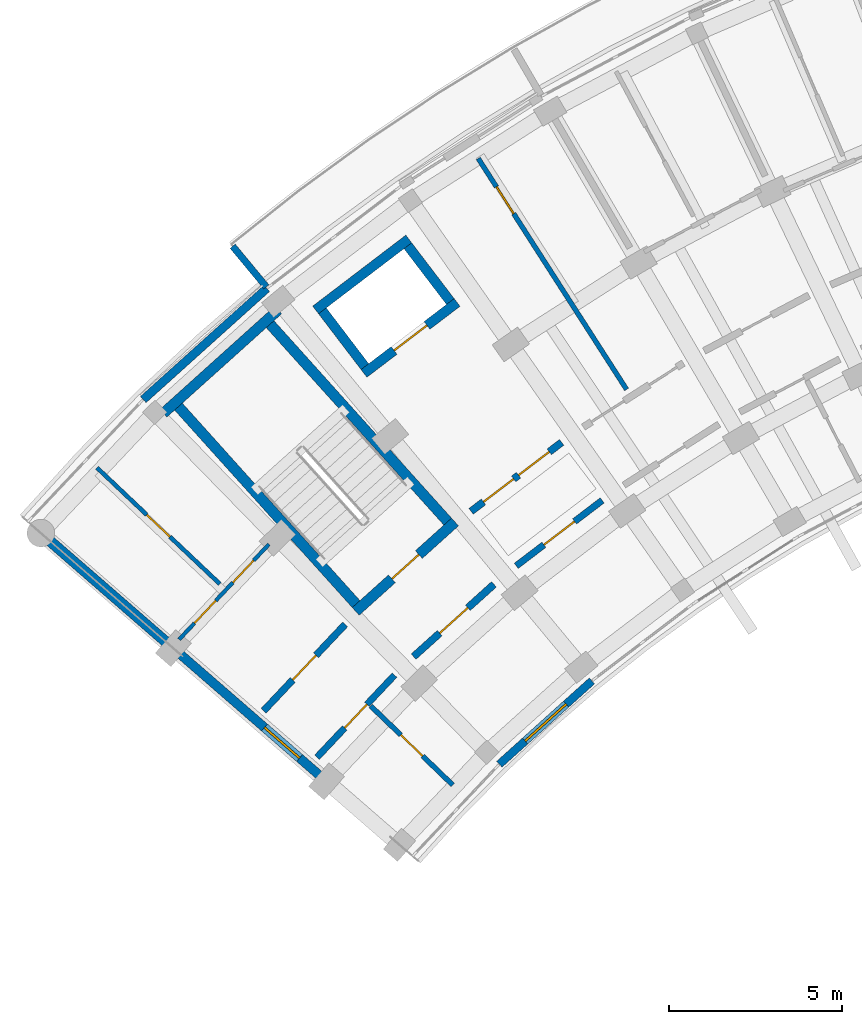
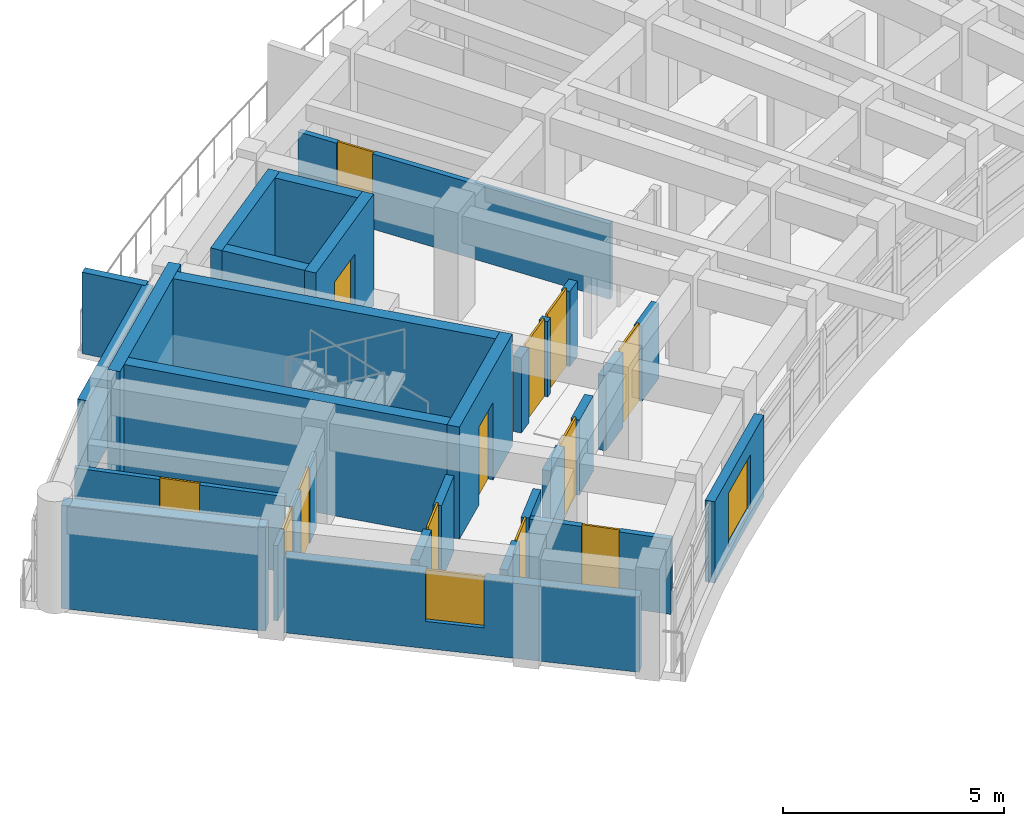
# One storey, part 44 of 70: 22 walls, 13 doors, 2 windows, 15 openings.
"""IFC4 building model written with IfcOpenShell, lengths in metres."""

from ifc_helpers import new_model, si_unit, direction, frame, frame_2d, origin, place, context, subcontext, project, spatial, rectangle, extrude, material, layer, layer_set, type_object, element, fill, save


model = new_model("IFC4")

# Units and contexts
model_context = context("Model", 3, precision=1e-05, world=origin(), true_north=direction((0.0, 1.0)))
body_context = subcontext(model_context, "Body", "Model", "MODEL_VIEW")
ifc_project = project(units=[si_unit("LENGTHUNIT", "METRE"), si_unit("AREAUNIT", "SQUARE_METRE"), si_unit("VOLUMEUNIT", "CUBIC_METRE"), si_unit("PLANEANGLEUNIT", "RADIAN"), si_unit("MASSUNIT", "GRAM", prefix="KILO")], contexts=[model_context])

# Site, building, storey
site_placement = place(None, origin())
site = spatial("IfcSite", under=ifc_project, at=site_placement, CompositionType="ELEMENT")
building_placement = place(site_placement, origin())
building = spatial("IfcBuilding", under=site, at=building_placement, Name="Zimvara Arc Housing Community", CompositionType="ELEMENT")
storey_placement = place(building_placement, frame((0.0, 0.0, 8.10009765625)))
storey = spatial("IfcBuildingStorey", under=building, at=storey_placement, Name="L02", CompositionType="ELEMENT", Elevation=8.10009765625)

# Wall, opening, window
ifc_material_1 = material(Name="Board-Marked Fair-Faced Concrete C35/45", Category="concrete")
ifc_layer_1 = layer(ifc_material_1, 0.22998046875)
ifc_layer_set_1 = layer_set([ifc_layer_1], Name="Board-Marked Fair-Faced Concrete C35/45")
wall_type_1 = type_object("IfcWallType", Name="EWL-CONC-230", PredefinedType="SOLIDWALL", material=ifc_layer_set_1)
wall_1_placement = place(storey_placement, frame((13.84033203125, 76.436767578125, 0.0), z_axis=(0.0, 0.0, 1.0), x_axis=(0.743385092197, 0.668863666751, 0.0)))
wall_1 = element("IfcWall", 1, at=wall_1_placement, inside=storey, type_object=wall_type_1, Name="ewall:blkA:L02:in:b1", PredefinedType="SOLIDWALL", context=body_context, shape_type="SweptSolid", body=[
    extrude(rectangle(XDim=3.603759765625, YDim=0.22998046875, at=frame_2d((1.8017578125, 0.0))), origin(), (0.0, 0.0, 1.0), 2.25),
])
opening_1_placement = place(wall_1_placement, frame((1.001708984375, 0.0, 0.320068359375)))
opening_1 = element("IfcOpeningElement", 2, at=opening_1_placement, cuts=wall_1, Name="Opening W03", PredefinedType="OPENING", context=body_context, shape_type="SweptSolid", body=[
    extrude(rectangle(XDim=1.60009765625, YDim=1.5, at=frame_2d((0.800048828125, 0.75))), frame((0.0, 0.125, 0.0), z_axis=(0.0, -1.0, 0.0), x_axis=(1.0, 0.0, 0.0)), (0.0, 0.0, 1.0), 0.25),
])
ifc_material_2 = material(Name="Solar Control Low-E Double Glazing", Category="glass")
window_type_1 = type_object("IfcWindowType", Name="WIN-RES-1600x1500", PartitioningType="DOUBLE_PANEL_VERTICAL", PredefinedType="WINDOW", material=ifc_material_2)
window_1_placement = place(opening_1_placement, origin())
window_1 = element("IfcWindow", 3, at=window_1_placement, inside=storey, type_object=window_type_1, Name="win:blkA:L02:in:b1", OverallHeight=1.5, OverallWidth=1.60009765625, PartitioningType="DOUBLE_PANEL_VERTICAL", PredefinedType="WINDOW", context=body_context, shape_type="SweptSolid", body=[
    extrude(rectangle(XDim=1.60009765625, YDim=1.5, at=frame_2d((0.800048828125, 0.75))), frame((0.0, 0.030029296875, 0.0), z_axis=(0.0, -1.0, 0.0), x_axis=(1.0, 0.0, 0.0)), (0.0, 0.0, 1.0), 0.06005859375),
])
fill(opening_1, window_1)

ifc_material_3 = material(Name="Board-Marked Fair-Faced Concrete C35/45", Category="concrete")
ifc_layer_2 = layer(ifc_material_3, 0.264892578125)
ifc_layer_set_2 = layer_set([ifc_layer_2], Name="Board-Marked Fair-Faced Concrete C35/45")
wall_type_2 = type_object("IfcWallType", Name="EWL-CONC-265", PredefinedType="SOLIDWALL", material=ifc_layer_set_2)
wall_2_placement = place(storey_placement, frame((10.766357421875, 74.2587890625, 0.0), z_axis=(0.0, 0.0, 1.0), x_axis=(-0.754717680958, 0.656049710044, 0.0)))
wall_2 = element("IfcWall", 4, at=wall_2_placement, inside=storey, type_object=wall_type_2, Name="ewall:blkA:L02:g0", PredefinedType="SOLIDWALL", context=body_context, shape_type="SweptSolid", body=[
    extrude(rectangle(XDim=8.199951171875, YDim=0.264892578125, at=frame_2d((4.10009765625, 0.0))), origin(), (0.0, 0.0, 1.0), 2.079833984375),
])
opening_2_placement = place(wall_2_placement, frame((3.590087890625, 0.0, 0.75)))
opening_2 = element("IfcOpeningElement", 5, at=opening_2_placement, cuts=wall_2, Name="Opening W12", PredefinedType="OPENING", context=body_context, shape_type="SweptSolid", body=[
    extrude(rectangle(XDim=1.35009765625, YDim=1.35009765625, at=frame_2d((0.675048828125, 0.675048828125))), frame((0.0, 0.142333984375, 0.0), z_axis=(0.0, -1.0, 0.0), x_axis=(1.0, 0.0, 0.0)), (0.0, 0.0, 1.0), 0.284912109375),
])
ifc_material_4 = material(Name="Solar Control Low-E Double Glazing", Category="glass")
window_type_2 = type_object("IfcWindowType", Name="WIN-RES-1350x1350", PartitioningType="DOUBLE_PANEL_VERTICAL", PredefinedType="WINDOW", material=ifc_material_4)
window_2_placement = place(opening_2_placement, origin())
window_2 = element("IfcWindow", 6, at=window_2_placement, inside=storey, type_object=window_type_2, Name="win:blkA:L02:g0:w", OverallHeight=1.35009765625, OverallWidth=1.35009765625, PartitioningType="DOUBLE_PANEL_VERTICAL", PredefinedType="WINDOW", context=body_context, shape_type="SweptSolid", body=[
    extrude(rectangle(XDim=1.35009765625, YDim=1.35009765625, at=frame_2d((0.675048828125, 0.675048828125))), frame((0.0, 0.030029296875, 0.0), z_axis=(0.0, -1.0, 0.0), x_axis=(1.0, 0.0, 0.0)), (0.0, 0.0, 1.0), 0.06005859375),
])
fill(opening_2, window_2)

# Walls
ifc_material_5 = material(Name="Board-Marked Fair-Faced Concrete C35/45", Category="concrete")
ifc_layer_3 = layer(ifc_material_5, 0.195068359375)
ifc_layer_set_3 = layer_set([ifc_layer_3], Name="Board-Marked Fair-Faced Concrete C35/45")
wall_type_3 = type_object("IfcWallType", Name="EWL-PARA-195", PredefinedType="PARAPET", material=ifc_layer_set_3)
wall_3_placement = place(storey_placement, frame((7.09228515625, 90.25732421875, 0.0), z_axis=(0.0, 0.0, 1.0), x_axis=(-0.637952984874, 0.770075313908, 0.0)))
element("IfcWall", 7, at=wall_3_placement, inside=storey, type_object=wall_type_3, Name="finwall:blkA:L02:out:b2", PredefinedType="PARAPET", context=body_context, shape_type="SweptSolid", body=[
    extrude(rectangle(XDim=1.530029296875, YDim=0.195068359375, at=frame_2d((0.76513671875, 0.0))), origin(), (0.0, 0.0, 1.0), 2.25),
])
ifc_material_6 = material(Name="Pigmented Fair-Faced Concrete C35/45", Category="concrete")
ifc_layer_4 = layer(ifc_material_6, 0.2451171875)
ifc_layer_set_4 = layer_set([ifc_layer_4], Name="Pigmented Fair-Faced Concrete C35/45")
wall_type_4 = type_object("IfcWallType", Name="EWL-PIGM-245", PredefinedType="SOLIDWALL", material=ifc_layer_set_4)
wall_4_placement = place(storey_placement, frame((3.528076171875, 86.996826171875, 0.0), z_axis=(0.0, 0.0, 1.0), x_axis=(0.743387539862, 0.668860946369, 0.0)))
element("IfcWall", 8, at=wall_4_placement, inside=storey, type_object=wall_type_4, Name="ewall:blkA:L02:out:b1", PredefinedType="SOLIDWALL", context=body_context, shape_type="SweptSolid", body=[
    extrude(rectangle(XDim=4.80908203125, YDim=0.2451171875, at=frame_2d((2.404541015625, 0.0))), origin(), (0.0, 0.0, 1.0), 2.25),
])

# Wall, opening, door
ifc_material_7 = material(Name="Concrete C35/45", Category="concrete")
ifc_layer_5 = layer(ifc_material_7, 0.2099609375)
ifc_layer_set_5 = layer_set([ifc_layer_5], Name="Concrete C35/45")
wall_type_5 = type_object("IfcWallType", Name="IWL-CCF-210", PredefinedType="SOLIDWALL", material=ifc_layer_set_5)
wall_5_placement = place(storey_placement, frame((11.357177734375, 79.5517578125, 0.0), z_axis=(0.0, 0.0, 1.0), x_axis=(0.743387266925, 0.668861249718, 0.0)))
wall_5 = element("IfcWall", 9, at=wall_5_placement, inside=storey, type_object=wall_type_5, Name="iwall:blkA:L02:ccf_div:b1", PredefinedType="SOLIDWALL", context=body_context, shape_type="SweptSolid", body=[
    extrude(rectangle(XDim=3.12841796875, YDim=0.2099609375, at=frame_2d((1.564208984375, 0.0))), origin(), (0.0, 0.0, 1.0), 2.079833984375),
])
opening_3_placement = place(wall_5_placement, frame((1.014404296875, 0.0, 0.0)))
opening_3 = element("IfcOpeningElement", 10, at=opening_3_placement, cuts=wall_5, Name="Opening FD-CCF1", PredefinedType="OPENING", context=body_context, shape_type="SweptSolid", body=[
    extrude(rectangle(XDim=1.10009765625, YDim=2.14990234375, at=frame_2d((0.550048828125, 1.074951171875))), frame((0.0, 0.114990234375, 0.0), z_axis=(0.0, -1.0, 0.0), x_axis=(1.0, 0.0, 0.0)), (0.0, 0.0, 1.0), 0.22998046875),
])
ifc_material_8 = material(Name="Anodised Aluminium AW-6063", Category="aluminium")
door_type_1 = type_object("IfcDoorType", Name="IDR-CCF-1100x2150", OperationType="NOTDEFINED", PredefinedType="DOOR", material=ifc_material_8)
door_1_placement = place(opening_3_placement, origin())
door_1 = element("IfcDoor", 11, at=door_1_placement, inside=storey, type_object=door_type_1, Name="idoor:blkA:L02:ccf_in:b1", OperationType="SINGLE_SWING_RIGHT", OverallHeight=2.14990234375, OverallWidth=1.10009765625, PredefinedType="DOOR", context=body_context, shape_type="SweptSolid", body=[
    extrude(rectangle(XDim=1.10009765625, YDim=2.14990234375, at=frame_2d((0.550048828125, 1.074951171875))), frame((0.0, 0.02490234375, 0.0), z_axis=(0.0, -1.0, 0.0), x_axis=(1.0, 0.0, 0.0)), (0.0, 0.0, 1.0), 0.050048828125),
])
fill(opening_3, door_1)

# Wall, openings, doors
wall_6_placement = place(storey_placement, frame((13.021240234375, 83.758544921875, 0.0), z_axis=(0.0, 0.0, 1.0), x_axis=(0.795498026433, 0.605956178235, 0.0)))
wall_6 = element("IfcWall", 12, at=wall_6_placement, inside=storey, type_object=wall_type_5, Name="iwall:blkA:L02:ll_div:b2", PredefinedType="SOLIDWALL", context=body_context, shape_type="SweptSolid", body=[
    extrude(rectangle(XDim=3.296142578125, YDim=0.2099609375, at=frame_2d((1.64794921875, 0.0))), origin(), (0.0, 0.0, 1.0), 2.079833984375),
])
opening_4_placement = place(wall_6_placement, frame((0.449951171875, 0.0, 0.0)))
opening_4 = element("IfcOpeningElement", 13, at=opening_4_placement, cuts=wall_6, Name="Opening FD-CCF1", PredefinedType="OPENING", context=body_context, shape_type="SweptSolid", body=[
    extrude(rectangle(XDim=1.10009765625, YDim=2.14990234375, at=frame_2d((0.550048828125, 1.074951171875))), frame((0.0, 0.114990234375, 0.0), z_axis=(0.0, -1.0, 0.0), x_axis=(1.0, 0.0, 0.0)), (0.0, 0.0, 1.0), 0.22998046875),
])
opening_5_placement = place(wall_6_placement, frame((1.72607421875, 0.0, 0.0)))
opening_5 = element("IfcOpeningElement", 14, at=opening_5_placement, cuts=wall_6, Name="Opening D07", PredefinedType="OPENING", context=body_context, shape_type="SweptSolid", body=[
    extrude(rectangle(XDim=1.1201171875, YDim=2.14990234375, at=frame_2d((0.56005859375, 1.074951171875))), frame((0.0, 0.114990234375, 0.0), z_axis=(0.0, -1.0, 0.0), x_axis=(1.0, 0.0, 0.0)), (0.0, 0.0, 1.0), 0.22998046875),
])
ifc_material_9 = material(Name="Mozambican Hardwood", Category="wood")
door_type_2 = type_object("IfcDoorType", Name="IDR-AMN-1120x2150", OperationType="NOTDEFINED", PredefinedType="DOOR", material=ifc_material_9)
door_2_placement = place(opening_5_placement, origin())
door_2 = element("IfcDoor", 15, at=door_2_placement, inside=storey, type_object=door_type_2, Name="idoor:blkA:L02:rs_in:b2", OperationType="SINGLE_SWING_RIGHT", OverallHeight=2.14990234375, OverallWidth=1.1201171875, PredefinedType="DOOR", context=body_context, shape_type="SweptSolid", body=[
    extrude(rectangle(XDim=1.1201171875, YDim=2.14990234375, at=frame_2d((0.56005859375, 1.074951171875))), frame((0.0, 0.02490234375, 0.0), z_axis=(0.0, -1.0, 0.0), x_axis=(1.0, 0.0, 0.0)), (0.0, 0.0, 1.0), 0.050048828125),
])
fill(opening_5, door_2)
door_3_placement = place(opening_4_placement, origin())
door_3 = element("IfcDoor", 16, at=door_3_placement, inside=storey, type_object=door_type_1, Name="idoor:blkA:L02:ll_in:b2", OperationType="SINGLE_SWING_LEFT", OverallHeight=2.14990234375, OverallWidth=1.10009765625, PredefinedType="DOOR", context=body_context, shape_type="SweptSolid", body=[
    extrude(rectangle(XDim=1.10009765625, YDim=2.14990234375, at=frame_2d((0.550048828125, 1.074951171875))), frame((0.0, 0.02490234375, 0.0), z_axis=(0.0, -1.0, 0.0), x_axis=(1.0, 0.0, 0.0)), (0.0, 0.0, 1.0), 0.050048828125),
])
fill(opening_4, door_3)

# Wall, opening, door
ifc_material_10 = material(Name="Concrete C35/45", Category="concrete")
ifc_layer_6 = layer(ifc_material_10, 0.18994140625)
ifc_layer_set_6 = layer_set([ifc_layer_6], Name="Concrete C35/45")
wall_type_6 = type_object("IfcWallType", Name="IWL-CORR-190", PredefinedType="SOLIDWALL", material=ifc_layer_set_6)
wall_7_placement = place(storey_placement, frame((8.561279296875, 76.638916015625, 0.0), z_axis=(0.0, 0.0, 1.0), x_axis=(0.686307658735, 0.727311348434, 0.0)))
wall_7 = element("IfcWall", 17, at=wall_7_placement, inside=storey, type_object=wall_type_6, Name="iwall:blkA:L02:corr_in:b0", PredefinedType="SOLIDWALL", context=body_context, shape_type="SweptSolid", body=[
    extrude(rectangle(XDim=3.268798828125, YDim=0.18994140625, at=frame_2d((1.63427734375, 0.0))), origin(), (0.0, 0.0, 1.0), 2.079833984375),
])
opening_6_placement = place(wall_7_placement, frame((1.164306640625, 0.0, 0.0)))
opening_6 = element("IfcOpeningElement", 18, at=opening_6_placement, cuts=wall_7, Name="Opening D03", PredefinedType="OPENING", context=body_context, shape_type="SweptSolid", body=[
    extrude(rectangle(XDim=0.93994140625, YDim=2.10009765625, at=frame_2d((0.469970703125, 1.050048828125))), frame((0.0, 0.10498046875, 0.0), z_axis=(0.0, -1.0, 0.0), x_axis=(1.0, 0.0, 0.0)), (0.0, 0.0, 1.0), 0.2099609375),
])
ifc_material_11 = material(Name="Mozambican Hardwood", Category="wood")
door_type_3 = type_object("IfcDoorType", Name="IDR-RM-0940x2100", OperationType="NOTDEFINED", PredefinedType="DOOR", material=ifc_material_11)
door_4_placement = place(opening_6_placement, origin())
door_4 = element("IfcDoor", 19, at=door_4_placement, inside=storey, type_object=door_type_3, Name="idoor:blkA:L02:in_rm:b0", OperationType="SINGLE_SWING_LEFT", OverallHeight=2.10009765625, OverallWidth=0.93994140625, PredefinedType="DOOR", context=body_context, shape_type="SweptSolid", body=[
    extrude(rectangle(XDim=0.93994140625, YDim=2.10009765625, at=frame_2d((0.469970703125, 1.050048828125))), frame((0.0, 0.02490234375, 0.0), z_axis=(0.0, -1.0, 0.0), x_axis=(1.0, 0.0, 0.0)), (0.0, 0.0, 1.0), 0.050048828125),
])
fill(opening_6, door_4)

wall_8_placement = place(storey_placement, frame((14.3291015625, 82.179931640625, 0.0), z_axis=(0.0, 0.0, 1.0), x_axis=(0.795501577908, 0.605951515838, 0.0)))
wall_8 = element("IfcWall", 20, at=wall_8_placement, inside=storey, type_object=wall_type_6, Name="iwall:blkA:L02:ra_div:b2", PredefinedType="SOLIDWALL", context=body_context, shape_type="SweptSolid", body=[
    extrude(rectangle(XDim=3.128662109375, YDim=0.18994140625, at=frame_2d((1.564453125, 0.0))), origin(), (0.0, 0.0, 1.0), 2.079833984375),
])
opening_7_placement = place(wall_8_placement, frame((1.00439453125, 0.0, 0.0)))
opening_7 = element("IfcOpeningElement", 21, at=opening_7_placement, cuts=wall_8, Name="Opening D07", PredefinedType="OPENING", context=body_context, shape_type="SweptSolid", body=[
    extrude(rectangle(XDim=1.1201171875, YDim=2.14990234375, at=frame_2d((0.56005859375, 1.074951171875))), frame((0.0, 0.10498046875, 0.0), z_axis=(0.0, -1.0, 0.0), x_axis=(1.0, 0.0, 0.0)), (0.0, 0.0, 1.0), 0.2099609375),
])
door_5_placement = place(opening_7_placement, origin())
door_5 = element("IfcDoor", 22, at=door_5_placement, inside=storey, type_object=door_type_2, Name="idoor:blkA:L02:ra_d:b2", OperationType="SINGLE_SWING_LEFT", OverallHeight=2.14990234375, OverallWidth=1.1201171875, PredefinedType="DOOR", context=body_context, shape_type="SweptSolid", body=[
    extrude(rectangle(XDim=1.1201171875, YDim=2.14990234375, at=frame_2d((0.56005859375, 1.074951171875))), frame((0.0, 0.02490234375, 0.0), z_axis=(0.0, -1.0, 0.0), x_axis=(1.0, 0.0, 0.0)), (0.0, 0.0, 1.0), 0.050048828125),
])
fill(opening_7, door_5)

ifc_material_12 = material(Name="Concrete C35/45", Category="concrete")
ifc_layer_7 = layer(ifc_material_12, 0.199951171875)
ifc_layer_set_7 = layer_set([ifc_layer_7], Name="Concrete C35/45")
wall_type_7 = type_object("IfcWallType", Name="IWL-CORR-200", PredefinedType="SOLIDWALL", material=ifc_layer_set_7)
wall_9_placement = place(storey_placement, frame((7.01416015625, 77.98388671875, 0.0), z_axis=(0.0, 0.0, 1.0), x_axis=(0.686310507227, 0.727308660522, 0.0)))
wall_9 = element("IfcWall", 23, at=wall_9_placement, inside=storey, type_object=wall_type_7, Name="iwall:blkA:L02:corr_out:b0", PredefinedType="SOLIDWALL", context=body_context, shape_type="SweptSolid", body=[
    extrude(rectangle(XDim=3.43603515625, YDim=0.199951171875, at=frame_2d((1.718017578125, 0.0))), origin(), (0.0, 0.0, 1.0), 2.079833984375),
])
opening_8_placement = place(wall_9_placement, frame((1.22802734375, 0.0, 0.0)))
opening_8 = element("IfcOpeningElement", 24, at=opening_8_placement, cuts=wall_9, Name="Opening FD-FL1", PredefinedType="OPENING", context=body_context, shape_type="SweptSolid", body=[
    extrude(rectangle(XDim=0.97998046875, YDim=2.14990234375, at=frame_2d((0.489990234375, 1.074951171875))), frame((0.0, 0.10986328125, 0.0), z_axis=(0.0, -1.0, 0.0), x_axis=(1.0, 0.0, 0.0)), (0.0, 0.0, 1.0), 0.219970703125),
])
ifc_material_13 = material(Name="Mozambican Hardwood", Category="wood")
door_type_4 = type_object("IfcDoorType", Name="IDR-FLAT-0980x2150", OperationType="NOTDEFINED", PredefinedType="DOOR", material=ifc_material_13)
door_6_placement = place(opening_8_placement, origin())
door_6 = element("IfcDoor", 25, at=door_6_placement, inside=storey, type_object=door_type_4, Name="idoor:blkA:L02:flat:b0", OperationType="SINGLE_SWING_RIGHT", OverallHeight=2.14990234375, OverallWidth=0.97998046875, PredefinedType="DOOR", context=body_context, shape_type="SweptSolid", body=[
    extrude(rectangle(XDim=0.97998046875, YDim=2.14990234375, at=frame_2d((0.489990234375, 1.074951171875))), frame((0.0, 0.02490234375, 0.0), z_axis=(0.0, -1.0, 0.0), x_axis=(1.0, 0.0, 0.0)), (0.0, 0.0, 1.0), 0.050048828125),
])
fill(opening_8, door_6)

# Wall, openings, doors
ifc_material_14 = material(Name="Painted Acoustic Plasterboard")
ifc_layer_8 = layer(ifc_material_14, 0.110107421875)
ifc_layer_set_8 = layer_set([ifc_layer_8], Name="Painted Acoustic Plasterboard")
wall_type_8 = type_object("IfcWallType", Name="IWL-PART-110", PredefinedType="PARTITIONING", material=ifc_layer_set_8)
wall_10_placement = place(storey_placement, frame((4.564697265625, 80.046875, 0.0), z_axis=(0.0, 0.0, 1.0), x_axis=(0.686300649561, 0.727317962388, 0.0)))
wall_10 = element("IfcWall", 26, at=wall_10_placement, inside=storey, type_object=wall_type_8, Name="iwall:blkA:L02:srv:b0", PredefinedType="PARTITIONING", context=body_context, shape_type="SweptSolid", body=[
    extrude(rectangle(XDim=3.79736328125, YDim=0.110107421875, at=frame_2d((1.898681640625, 0.0))), origin(), (0.0, 0.0, 1.0), 2.079833984375),
])
opening_9_placement = place(wall_10_placement, frame((0.64990234375, 0.0, 0.0)))
opening_9 = element("IfcOpeningElement", 27, at=opening_9_placement, cuts=wall_10, Name="Opening D01", PredefinedType="OPENING", context=body_context, shape_type="SweptSolid", body=[
    extrude(rectangle(XDim=0.89990234375, YDim=2.10009765625, at=frame_2d((0.449951171875, 1.050048828125))), frame((0.0, 0.06494140625, 0.0), z_axis=(0.0, -1.0, 0.0), x_axis=(1.0, 0.0, 0.0)), (0.0, 0.0, 1.0), 0.130126953125),
])
opening_10_placement = place(wall_10_placement, frame((2.267333984375, 0.0, 0.0)))
opening_10 = element("IfcOpeningElement", 28, at=opening_10_placement, cuts=wall_10, Name="Opening D05", PredefinedType="OPENING", context=body_context, shape_type="SweptSolid", body=[
    extrude(rectangle(XDim=0.8798828125, YDim=2.10009765625, at=frame_2d((0.43994140625, 1.050048828125))), frame((0.0, 0.06494140625, 0.0), z_axis=(0.0, -1.0, 0.0), x_axis=(1.0, 0.0, 0.0)), (0.0, 0.0, 1.0), 0.130126953125),
])
ifc_material_15 = material(Name="Mozambican Hardwood", Category="wood")
door_type_5 = type_object("IfcDoorType", Name="IDR-RM-0900x2100", OperationType="NOTDEFINED", PredefinedType="DOOR", material=ifc_material_15)
door_7_placement = place(opening_9_placement, origin())
door_7 = element("IfcDoor", 29, at=door_7_placement, inside=storey, type_object=door_type_5, Name="idoor:blkA:L02:kit_liv:b0", OperationType="SINGLE_SWING_LEFT", OverallHeight=2.10009765625, OverallWidth=0.89990234375, PredefinedType="DOOR", context=body_context, shape_type="SweptSolid", body=[
    extrude(rectangle(XDim=0.89990234375, YDim=2.10009765625, at=frame_2d((0.449951171875, 1.050048828125))), frame((0.0, 0.02490234375, 0.0), z_axis=(0.0, -1.0, 0.0), x_axis=(1.0, 0.0, 0.0)), (0.0, 0.0, 1.0), 0.050048828125),
])
fill(opening_9, door_7)
ifc_material_16 = material(Name="Mozambican Hardwood", Category="wood")
door_type_6 = type_object("IfcDoorType", Name="IDR-WC-0880x2100", OperationType="NOTDEFINED", PredefinedType="DOOR", material=ifc_material_16)
door_8_placement = place(opening_10_placement, origin())
door_8 = element("IfcDoor", 30, at=door_8_placement, inside=storey, type_object=door_type_6, Name="idoor:blkA:L02:bath_d:b0", OperationType="SINGLE_SWING_RIGHT", OverallHeight=2.10009765625, OverallWidth=0.8798828125, PredefinedType="DOOR", context=body_context, shape_type="SweptSolid", body=[
    extrude(rectangle(XDim=0.8798828125, YDim=2.10009765625, at=frame_2d((0.43994140625, 1.050048828125))), frame((0.0, 0.02490234375, 0.0), z_axis=(0.0, -1.0, 0.0), x_axis=(1.0, 0.0, 0.0)), (0.0, 0.0, 1.0), 0.050048828125),
])
fill(opening_10, door_8)

# Wall, opening, door
ifc_material_17 = material(Name="Painted Acoustic Plasterboard")
ifc_layer_9 = layer(ifc_material_17, 0.1201171875)
ifc_layer_set_9 = layer_set([ifc_layer_9], Name="Painted Acoustic Plasterboard")
wall_type_9 = type_object("IfcWallType", Name="IWL-PART-120", PredefinedType="PARTITIONING", material=ifc_layer_set_9)
wall_11_placement = place(storey_placement, frame((5.745849609375, 81.6552734375, 0.0), z_axis=(0.0, 0.0, 1.0), x_axis=(-0.726295620759, 0.687382478149, 0.0)))
wall_11 = element("IfcWall", 31, at=wall_11_placement, inside=storey, type_object=wall_type_9, Name="iwall:blkA:L02:bed_div:b0", PredefinedType="PARTITIONING", context=body_context, shape_type="SweptSolid", body=[
    extrude(rectangle(XDim=4.89990234375, YDim=0.1201171875, at=frame_2d((2.449951171875, 0.0))), origin(), (0.0, 0.0, 1.0), 2.079833984375),
])
opening_11_placement = place(wall_11_placement, frame((1.985107421875, 0.0, 0.0)))
opening_11 = element("IfcOpeningElement", 32, at=opening_11_placement, cuts=wall_11, Name="Opening D13", PredefinedType="OPENING", context=body_context, shape_type="SweptSolid", body=[
    extrude(rectangle(XDim=0.929931640625, YDim=2.10009765625, at=frame_2d((0.46484375, 1.050048828125))), frame((0.0, 0.070068359375, 0.0), z_axis=(0.0, -1.0, 0.0), x_axis=(1.0, 0.0, 0.0)), (0.0, 0.0, 1.0), 0.14013671875),
])
ifc_material_18 = material(Name="Mozambican Hardwood", Category="wood")
door_type_7 = type_object("IfcDoorType", Name="IDR-MOD-930x2180", OperationType="NOTDEFINED", PredefinedType="DOOR", material=ifc_material_18)
door_9_placement = place(opening_11_placement, origin())
door_9 = element("IfcDoor", 33, at=door_9_placement, inside=storey, type_object=door_type_7, Name="idoor:blkA:L02:bed_d:b0", OperationType="SINGLE_SWING_LEFT", OverallHeight=2.10009765625, OverallWidth=0.929931640625, PredefinedType="DOOR", context=body_context, shape_type="SweptSolid", body=[
    extrude(rectangle(XDim=0.929931640625, YDim=2.10009765625, at=frame_2d((0.46484375, 1.050048828125))), frame((0.0, 0.02490234375, 0.0), z_axis=(0.0, -1.0, 0.0), x_axis=(1.0, 0.0, 0.0)), (0.0, 0.0, 1.0), 0.050048828125),
])
fill(opening_11, door_9)

ifc_material_19 = material(Name="Painted Acoustic Plasterboard")
ifc_layer_10 = layer(ifc_material_19, 0.139892578125)
ifc_layer_set_10 = layer_set([ifc_layer_10], Name="Painted Acoustic Plasterboard")
wall_type_10 = type_object("IfcWallType", Name="IWL-PART-140", PredefinedType="PARTITIONING", material=ifc_layer_set_10)
wall_12_placement = place(storey_placement, frame((17.52392578125, 87.287841796875, 0.0), z_axis=(0.0, 0.0, 1.0), x_axis=(-0.540338452216, 0.841447774408, 0.0)))
wall_12 = element("IfcWall", 34, at=wall_12_placement, inside=storey, type_object=wall_type_10, Name="iwall:blkA:L02:amen_div:b3", PredefinedType="PARTITIONING", context=body_context, shape_type="SweptSolid", body=[
    extrude(rectangle(XDim=7.949951171875, YDim=0.139892578125, at=frame_2d((3.97509765625, 0.0))), origin(), (0.0, 0.0, 1.0), 2.079833984375),
])
opening_12_placement = place(wall_12_placement, frame((6.050048828125, 0.0, 0.0)))
opening_12 = element("IfcOpeningElement", 35, at=opening_12_placement, cuts=wall_12, Name="Opening D02", PredefinedType="OPENING", context=body_context, shape_type="SweptSolid", body=[
    extrude(rectangle(XDim=0.919921875, YDim=2.10009765625, at=frame_2d((0.4599609375, 1.050048828125))), frame((0.0, 0.079833984375, 0.0), z_axis=(0.0, -1.0, 0.0), x_axis=(1.0, 0.0, 0.0)), (0.0, 0.0, 1.0), 0.159912109375),
])
ifc_material_20 = material(Name="Mozambican Hardwood", Category="wood")
door_type_8 = type_object("IfcDoorType", Name="IDR-RM-0920x2100", OperationType="NOTDEFINED", PredefinedType="DOOR", material=ifc_material_20)
door_10_placement = place(opening_12_placement, origin())
door_10 = element("IfcDoor", 36, at=door_10_placement, inside=storey, type_object=door_type_8, Name="idoor:blkA:L02:laund_d:b3", OperationType="SINGLE_SWING_LEFT", OverallHeight=2.10009765625, OverallWidth=0.919921875, PredefinedType="DOOR", context=body_context, shape_type="SweptSolid", body=[
    extrude(rectangle(XDim=0.919921875, YDim=2.10009765625, at=frame_2d((0.4599609375, 1.050048828125))), frame((0.0, 0.02490234375, 0.0), z_axis=(0.0, -1.0, 0.0), x_axis=(1.0, 0.0, 0.0)), (0.0, 0.0, 1.0), 0.050048828125),
])
fill(opening_12, door_10)

ifc_material_21 = material(Name="Painted Acoustic Plasterboard")
ifc_layer_11 = layer(ifc_material_21, 0.14501953125)
ifc_layer_set_11 = layer_set([ifc_layer_11], Name="Painted Acoustic Plasterboard")
wall_type_11 = type_object("IfcWallType", Name="IWL-WET-145", PredefinedType="PARTITIONING", material=ifc_layer_set_11)
wall_13_placement = place(storey_placement, frame((12.49169921875, 75.83251953125, 0.0), z_axis=(0.0, 0.0, 1.0), x_axis=(-0.720043614644, 0.693928809757, 0.0)))
wall_13 = element("IfcWall", 37, at=wall_13_placement, inside=storey, type_object=wall_type_11, Name="iwall:blkA:L02:ens:b0", PredefinedType="PARTITIONING", context=body_context, shape_type="SweptSolid", body=[
    extrude(rectangle(XDim=3.300048828125, YDim=0.14501953125, at=frame_2d((1.64990234375, 0.0))), origin(), (0.0, 0.0, 1.0), 2.079833984375),
])
opening_13_placement = place(wall_13_placement, frame((1.2099609375, 0.0, 0.0)))
opening_13 = element("IfcOpeningElement", 38, at=opening_13_placement, cuts=wall_13, Name="Opening D05", PredefinedType="OPENING", context=body_context, shape_type="SweptSolid", body=[
    extrude(rectangle(XDim=0.8798828125, YDim=2.10009765625, at=frame_2d((0.43994140625, 1.050048828125))), frame((0.0, 0.08251953125, 0.0), z_axis=(0.0, -1.0, 0.0), x_axis=(1.0, 0.0, 0.0)), (0.0, 0.0, 1.0), 0.1650390625),
])
door_11_placement = place(opening_13_placement, origin())
door_11 = element("IfcDoor", 39, at=door_11_placement, inside=storey, type_object=door_type_6, Name="idoor:blkA:L02:ens_d:b0", OperationType="SINGLE_SWING_RIGHT", OverallHeight=2.10009765625, OverallWidth=0.8798828125, PredefinedType="DOOR", context=body_context, shape_type="SweptSolid", body=[
    extrude(rectangle(XDim=0.8798828125, YDim=2.10009765625, at=frame_2d((0.43994140625, 1.050048828125))), frame((0.0, 0.02490234375, 0.0), z_axis=(0.0, -1.0, 0.0), x_axis=(1.0, 0.0, 0.0)), (0.0, 0.0, 1.0), 0.050048828125),
])
fill(opening_13, door_11)

ifc_material_22 = material(Name="Concrete C40/50", Category="concrete")
ifc_layer_12 = layer(ifc_material_22, 0.280029296875)
ifc_layer_set_12 = layer_set([ifc_layer_12], Name="Concrete C40/50")
wall_type_12 = type_object("IfcWallType", Name="WL-CORE-280", PredefinedType="SHEAR", material=ifc_layer_set_12)
wall_14_placement = place(storey_placement, frame((12.615966796875, 89.80712890625, 0.0), z_axis=(0.0, 0.0, 1.0), x_axis=(-0.795474703455, -0.605986795371, 0.0)))
wall_14 = element("IfcWall", 40, at=wall_14_placement, inside=storey, type_object=wall_type_12, Name="lwall:LF-A1:L02:front", PredefinedType="SHEAR", context=body_context, shape_type="SweptSolid", body=[
    extrude(rectangle(XDim=3.389892578125, YDim=0.280029296875, at=frame_2d((1.69482421875, 0.0))), origin(), (0.0, 0.0, 1.0), 3.099853515625),
])
opening_14_placement = place(wall_14_placement, frame((1.094970703125, 0.0, 0.0)))
opening_14 = element("IfcOpeningElement", 41, at=opening_14_placement, cuts=wall_14, Name="Opening LD-LF-A1", PredefinedType="OPENING", context=body_context, shape_type="SweptSolid", body=[
    extrude(rectangle(XDim=1.199951171875, YDim=2.14990234375, at=frame_2d((0.60009765625, 1.074951171875))), frame((0.0, 0.14990234375, 0.0), z_axis=(0.0, -1.0, 0.0), x_axis=(1.0, 0.0, 0.0)), (0.0, 0.0, 1.0), 0.300048828125),
])
ifc_material_23 = material(Name="Anodised Aluminium AW-6063", Category="aluminium")
door_type_9 = type_object("IfcDoorType", Name="IDR-LD-1200x2150", OperationType="DOUBLE_DOOR_SLIDING", PredefinedType="DOOR", material=ifc_material_23)
door_12_placement = place(opening_14_placement, origin())
door_12 = element("IfcDoor", 42, at=door_12_placement, inside=storey, type_object=door_type_9, Name="Lift LF-A1 Sliding Landing Door L02", OperationType="DOUBLE_DOOR_SLIDING", OverallHeight=2.14990234375, OverallWidth=1.199951171875, PredefinedType="DOOR", context=body_context, shape_type="SweptSolid", body=[
    extrude(rectangle(XDim=1.199951171875, YDim=2.14990234375, at=frame_2d((0.60009765625, 1.074951171875))), frame((0.0, 0.02490234375, 0.0), z_axis=(0.0, -1.0, 0.0), x_axis=(1.0, 0.0, 0.0)), (0.0, 0.0, 1.0), 0.050048828125),
])
fill(opening_14, door_12)

# Walls
wall_15_placement = place(storey_placement, frame((11.216064453125, 91.644775390625, 0.0), z_axis=(0.0, 0.0, 1.0), x_axis=(-0.795439986025, -0.606032365994, 0.0)))
element("IfcWall", 43, at=wall_15_placement, inside=storey, type_object=wall_type_12, Name="lwall:LF-A1:L02:back", PredefinedType="SHEAR", context=body_context, shape_type="SweptSolid", body=[
    extrude(rectangle(XDim=3.389892578125, YDim=0.280029296875, at=frame_2d((1.69482421875, 0.0))), origin(), (0.0, 0.0, 1.0), 3.099853515625),
])
wall_16_placement = place(storey_placement, frame((12.419677734375, 89.833740234375, 0.0), z_axis=(0.0, 0.0, 1.0), x_axis=(-0.605948992168, 0.795503500238, 0.0)))
element("IfcWall", 44, at=wall_16_placement, inside=storey, type_object=wall_type_12, Name="lwall:LF-A1:L02:left", PredefinedType="SHEAR", context=body_context, shape_type="SweptSolid", body=[
    extrude(rectangle(XDim=2.02978515625, YDim=0.280029296875, at=frame_2d((1.014892578125, 0.0))), origin(), (0.0, 0.0, 1.0), 3.099853515625),
])
wall_17_placement = place(storey_placement, frame((9.94580078125, 87.948974609375, 0.0), z_axis=(0.0, 0.0, 1.0), x_axis=(-0.605891019062, 0.795547656033, 0.0)))
element("IfcWall", 45, at=wall_17_placement, inside=storey, type_object=wall_type_12, Name="lwall:LF-A1:L02:right", PredefinedType="SHEAR", context=body_context, shape_type="SweptSolid", body=[
    extrude(rectangle(XDim=2.030029296875, YDim=0.280029296875, at=frame_2d((1.01513671875, 0.0))), origin(), (0.0, 0.0, 1.0), 3.099853515625),
])

# Wall, opening, door
ifc_material_24 = material(Name="Concrete C40/50", Category="concrete")
ifc_layer_13 = layer(ifc_material_24, 0.300048828125)
ifc_layer_set_13 = layer_set([ifc_layer_13], Name="Concrete C40/50")
wall_type_13 = type_object("IfcWallType", Name="WL-CORE-300", PredefinedType="SHEAR", material=ifc_layer_set_13)
wall_18_placement = place(storey_placement, frame((12.556884765625, 83.4501953125, 0.0), z_axis=(0.0, 0.0, 1.0), x_axis=(-0.743375696158, -0.668874109501, 0.0)))
wall_18 = element("IfcWall", 46, at=wall_18_placement, inside=storey, type_object=wall_type_13, Name="cwall:ST-A1:L02:near", PredefinedType="SHEAR", context=body_context, shape_type="SweptSolid", body=[
    extrude(rectangle(XDim=3.8701171875, YDim=0.300048828125, at=frame_2d((1.93505859375, 0.0))), origin(), (0.0, 0.0, 1.0), 3.099853515625),
])
opening_15_placement = place(wall_18_placement, frame((1.409912109375, 0.0, 0.0)))
opening_15 = element("IfcOpeningElement", 47, at=opening_15_placement, cuts=wall_18, Name="Opening FD-ST2", PredefinedType="OPENING", context=body_context, shape_type="SweptSolid", body=[
    extrude(rectangle(XDim=1.050048828125, YDim=2.14990234375, at=frame_2d((0.52490234375, 1.074951171875))), frame((0.0, 0.159912109375, 0.0), z_axis=(0.0, -1.0, 0.0), x_axis=(1.0, 0.0, 0.0)), (0.0, 0.0, 1.0), 0.320068359375),
])
ifc_material_25 = material(Name="Anodised Aluminium AW-6063", Category="aluminium")
door_type_10 = type_object("IfcDoorType", Name="IDR-ST-1050x2150", OperationType="NOTDEFINED", PredefinedType="DOOR", material=ifc_material_25)
door_13_placement = place(opening_15_placement, origin())
door_13 = element("IfcDoor", 48, at=door_13_placement, inside=storey, type_object=door_type_10, Name="idoor:ST-A1:L02:entry", OperationType="SINGLE_SWING_RIGHT", OverallHeight=2.14990234375, OverallWidth=1.050048828125, PredefinedType="DOOR", context=body_context, shape_type="SweptSolid", body=[
    extrude(rectangle(XDim=1.050048828125, YDim=2.14990234375, at=frame_2d((0.52490234375, 1.074951171875))), frame((0.0, 0.02490234375, 0.0), z_axis=(0.0, -1.0, 0.0), x_axis=(1.0, 0.0, 0.0)), (0.0, 0.0, 1.0), 0.050048828125),
])
fill(opening_15, door_13)

# Walls
wall_19_placement = place(storey_placement, frame((7.435546875, 89.59033203125, 0.0), z_axis=(0.0, 0.0, 1.0), x_axis=(-0.743400052815, -0.668847038922, 0.0)))
element("IfcWall", 49, at=wall_19_placement, inside=storey, type_object=wall_type_13, Name="cwall:ST-A1:L02:far", PredefinedType="SHEAR", context=body_context, shape_type="SweptSolid", body=[
    extrude(rectangle(XDim=4.469970703125, YDim=0.300048828125, at=frame_2d((2.23486328125, 0.0))), origin(), (0.0, 0.0, 1.0), 3.099853515625),
])
wall_20_placement = place(storey_placement, frame((12.344970703125, 83.461181640625, 0.0), z_axis=(0.0, 0.0, 1.0), x_axis=(-0.668868253964, 0.743380964808, 0.0)))
element("IfcWall", 50, at=wall_20_placement, inside=storey, type_object=wall_type_13, Name="cwall:ST-A1:L02:left", PredefinedType="SHEAR", context=body_context, shape_type="SweptSolid", body=[
    extrude(rectangle(XDim=7.68994140625, YDim=0.300048828125, at=frame_2d((3.844970703125, 0.0))), origin(), (0.0, 0.0, 1.0), 3.099853515625),
])
wall_21_placement = place(storey_placement, frame((9.691162109375, 81.073486328125, 0.0), z_axis=(0.0, 0.0, 1.0), x_axis=(-0.668885797871, 0.743365179038, 0.0)))
element("IfcWall", 51, at=wall_21_placement, inside=storey, type_object=wall_type_13, Name="cwall:ST-A1:L02:right", PredefinedType="SHEAR", context=body_context, shape_type="SweptSolid", body=[
    extrude(rectangle(XDim=7.690185546875, YDim=0.300048828125, at=frame_2d((3.84521484375, 0.0))), origin(), (0.0, 0.0, 1.0), 3.099853515625),
])
ifc_material_26 = material(Name="Concrete C40/50", Category="concrete")
ifc_layer_14 = layer(ifc_material_26, 0.31005859375)
ifc_layer_set_14 = layer_set([ifc_layer_14], Name="Concrete C40/50")
wall_type_14 = type_object("IfcWallType", Name="WL-SHEAR-310", PredefinedType="SHEAR", material=ifc_layer_set_14)
wall_22_placement = place(storey_placement, frame((4.2607421875, 79.9140625, 0.0), z_axis=(0.0, 0.0, 1.0), x_axis=(-0.754703505217, 0.65606601742, 0.0)))
element("IfcWall", 52, at=wall_22_placement, inside=storey, type_object=wall_type_14, Name="swall:blkA:L02:west", PredefinedType="SHEAR", context=body_context, shape_type="SweptSolid", body=[
    extrude(rectangle(XDim=4.719970703125, YDim=0.31005859375, at=frame_2d((2.35986328125, 0.0))), origin(), (0.0, 0.0, 1.0), 2.85986328125),
])

save(model, "model.ifc")
